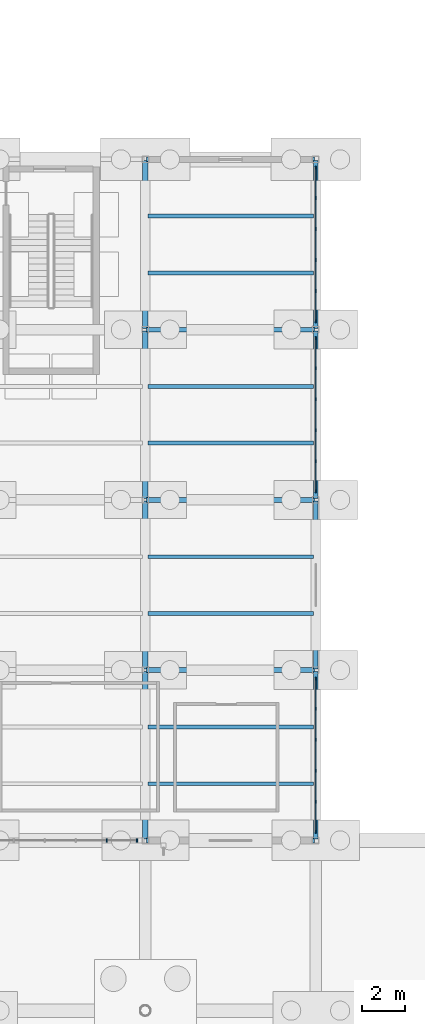
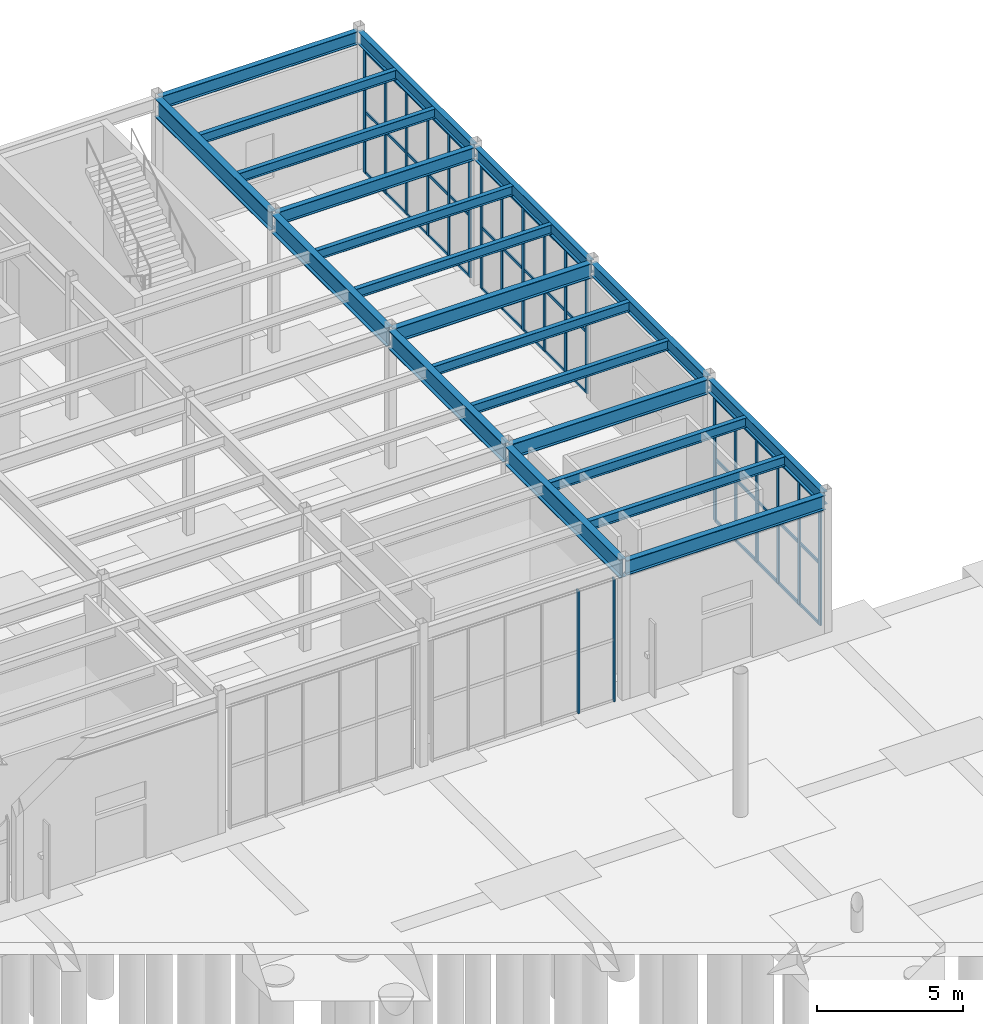
# One storey, part 48 of 82: 29 members, 21 beams, 4 elements without a shape of their own.
"""IFC4 building model written with IfcOpenShell, lengths in metres."""

from ifc_helpers import new_model, si_unit, direction, frame, origin, origin_2d, place, context, subcontext, project, spatial, rectangle, i_section, extrude, material, material_profile, profile_set, type_object, element, aggregate, save


model = new_model("IFC4")

# Units and contexts
model_context = context("Model", 3, precision=1e-05, world=origin(), true_north=direction((0.0, 1.0)))
body_context = subcontext(model_context, "Body", "Model", "MODEL_VIEW")
ifc_project = project(units=[si_unit("LENGTHUNIT", "METRE"), si_unit("AREAUNIT", "SQUARE_METRE"), si_unit("VOLUMEUNIT", "CUBIC_METRE"), si_unit("PLANEANGLEUNIT", "RADIAN"), si_unit("MASSUNIT", "GRAM", prefix="KILO")], contexts=[model_context])

# Site, building, storey
site_placement = place(None, origin())
site = spatial("IfcSite", under=ifc_project, at=site_placement, CompositionType="ELEMENT")
building_placement = place(site_placement, origin())
building = spatial("IfcBuilding", under=site, at=building_placement, Name="Drelvath Fold Interchange", CompositionType="ELEMENT")
storey_placement = place(building_placement, origin())
storey = spatial("IfcBuildingStorey", under=building, at=storey_placement, Name="L00", CompositionType="ELEMENT", Elevation=0.0)

# Beams
ifc_material_1 = material(Name="Steel ASTM A992 Grade 50", Category="steel")
ifc_material_profile_1 = material_profile(ifc_material_1, i_section(OverallWidth=0.177978515625, OverallDepth=0.403076171875, WebThickness=0.007568359375, FlangeThickness=0.010986328125, at=origin_2d()), Name="W16X36")
ifc_profile_set_1 = profile_set([ifc_material_profile_1], Name="Steel ASTM A992 Grade 50")
beam_type_1 = type_object("IfcBeamType", Name="BM-W16X36", PredefinedType="JOIST", material=ifc_profile_set_1)
for number, where, z_axis, x_axis, name in (
    (1, (134.131103515625, 77.6669921875, 5.55810546875), (1.0, 0.0, 0.0), (0.0, 1.0, 0.0), "L00 Secondary floor joist BM-W16X36"),
    (2, (134.131103515625, 80.3330078125, 5.55810546875), (1.0, 0.0, 0.0), (0.0, 1.0, 0.0), "L00 Secondary floor joist BM-W16X36"),
    (3, (134.131103515625, 85.6669921875, 5.55810546875), (1.0, 0.0, 0.0), (0.0, 1.0, 0.0), "L00 Secondary floor joist BM-W16X36"),
    (4, (134.131103515625, 88.3330078125, 5.55810546875), (1.0, 0.0, 0.0), (0.0, 1.0, 0.0), "L00 Secondary floor joist BM-W16X36"),
    (5, (134.131103515625, 93.6669921875, 5.55810546875), (1.0, 0.0, 0.0), (0.0, 1.0, 0.0), "L00 Secondary floor joist BM-W16X36"),
    (6, (134.131103515625, 96.3330078125, 5.55810546875), (1.0, 0.0, 0.0), (0.0, 1.0, 0.0), "L00 Secondary floor joist BM-W16X36"),
    (7, (134.131103515625, 101.6669921875, 5.55810546875), (1.0, 0.0, 0.0), (0.0, 1.0, 0.0), "L00 Secondary floor joist BM-W16X36"),
    (8, (134.131103515625, 104.3330078125, 5.55810546875), (1.0, 0.0, 0.0), (0.0, 1.0, 0.0), "L00 Secondary floor joist BM-W16X36"),
):
    element("IfcBeam", number, at=place(storey_placement, frame(where, z_axis=z_axis, x_axis=x_axis)), inside=storey, type_object=beam_type_1, Name=name, PredefinedType="JOIST", context=body_context, shape_type="SweptSolid", body=[
        extrude(i_section(OverallWidth=0.177978515625, OverallDepth=0.403076171875, WebThickness=0.007568359375, FlangeThickness=0.010986328125, at=origin_2d()), origin(), (0.0, 0.0, 1.0), 7.765869140625),
    ])
ifc_material_profile_2 = material_profile(ifc_material_1, i_section(OverallWidth=0.2099609375, OverallDepth=0.537109375, WebThickness=0.010986328125, FlangeThickness=0.017333984375, at=origin_2d()), Name="W21X68")
ifc_profile_set_2 = profile_set([ifc_material_profile_2], Name="Steel ASTM A992 Grade 50")
beam_type_2 = type_object("IfcBeamType", Name="BM-W21X68", PredefinedType="SPANDREL", material=ifc_profile_set_2)
for number, where, z_axis, x_axis, name in (
    (9, (134.06005859375, 99.0, 5.490966796875), (1.0, 0.0, 0.0), (0.0, 1.0, 0.0), "L00 Primary X girder BM-W21X68"),
    (10, (134.06005859375, 107.0, 5.490966796875), (1.0, 0.0, 0.0), (0.0, 1.0, 0.0), "L00 Primary X girder BM-W21X68"),
    (11, (142.0, 75.06005859375, 5.490966796875), (0.0, 1.0, 0.0), (-1.0, 0.0, 0.0), "L00 Primary Y girder BM-W21X68"),
    (12, (142.0, 83.06005859375, 5.490966796875), (0.0, 1.0, 0.0), (-1.0, 0.0, 0.0), "L00 Primary Y girder BM-W21X68"),
    (13, (142.0, 91.06005859375, 5.490966796875), (0.0, 1.0, 0.0), (-1.0, 0.0, 0.0), "L00 Primary Y girder BM-W21X68"),
    (14, (142.0, 99.06005859375, 5.490966796875), (0.0, 1.0, 0.0), (-1.0, 0.0, 0.0), "L00 Primary Y girder BM-W21X68"),
):
    element("IfcBeam", number, at=place(storey_placement, frame(where, z_axis=z_axis, x_axis=x_axis)), inside=storey, type_object=beam_type_2, Name=name, PredefinedType="SPANDREL", context=body_context, shape_type="SweptSolid", body=[
        extrude(i_section(OverallWidth=0.2099609375, OverallDepth=0.537109375, WebThickness=0.010986328125, FlangeThickness=0.017333984375, at=origin_2d()), origin(), (0.0, 0.0, 1.0), 7.8798828125),
    ])
ifc_material_profile_3 = material_profile(ifc_material_1, i_section(OverallWidth=0.22998046875, OverallDepth=0.616943359375, WebThickness=0.01318359375, FlangeThickness=0.022216796875, at=origin_2d()), Name="W24X94")
ifc_profile_set_3 = profile_set([ifc_material_profile_3], Name="Steel ASTM A992 Grade 50")
beam_type_3 = type_object("IfcBeamType", Name="BM-W24X94", PredefinedType="BEAM", material=ifc_profile_set_3)
for number, where, z_axis, x_axis, name in (
    (15, (134.06005859375, 75.0, 5.450927734375), (1.0, 0.0, 0.0), (0.0, 1.0, 0.0), "L00 Primary X girder BM-W24X94"),
    (16, (134.06005859375, 83.0, 5.450927734375), (1.0, 0.0, 0.0), (0.0, 1.0, 0.0), "L00 Primary X girder BM-W24X94"),
    (17, (134.06005859375, 91.0, 5.450927734375), (1.0, 0.0, 0.0), (0.0, 1.0, 0.0), "L00 Primary X girder BM-W24X94"),
):
    element("IfcBeam", number, at=place(storey_placement, frame(where, z_axis=z_axis, x_axis=x_axis)), inside=storey, type_object=beam_type_3, Name=name, PredefinedType="BEAM", context=body_context, shape_type="SweptSolid", body=[
        extrude(i_section(OverallWidth=0.22998046875, OverallDepth=0.616943359375, WebThickness=0.01318359375, FlangeThickness=0.022216796875, at=origin_2d()), origin(), (0.0, 0.0, 1.0), 7.8798828125),
    ])
ifc_material_profile_4 = material_profile(ifc_material_1, i_section(OverallWidth=0.26611328125, OverallDepth=0.779052734375, WebThickness=0.0166015625, FlangeThickness=0.030029296875, at=origin_2d()), Name="W30X148")
ifc_profile_set_4 = profile_set([ifc_material_profile_4], Name="Steel ASTM A992 Grade 50")
beam_type_4 = type_object("IfcBeamType", Name="BM-W30X148", PredefinedType="BEAM", material=ifc_profile_set_4)
for number, where, z_axis, x_axis, name in (
    (18, (134.0, 75.06005859375, 5.3701171875), (0.0, 1.0, 0.0), (-1.0, 0.0, 0.0), "L00 Primary Y girder BM-W30X148"),
    (19, (134.0, 83.06005859375, 5.3701171875), (0.0, 1.0, 0.0), (-1.0, 0.0, 0.0), "L00 Primary Y girder BM-W30X148"),
    (20, (134.0, 91.06005859375, 5.3701171875), (0.0, 1.0, 0.0), (-1.0, 0.0, 0.0), "L00 Primary Y girder BM-W30X148"),
    (21, (134.0, 99.06005859375, 5.3701171875), (0.0, 1.0, 0.0), (-1.0, 0.0, 0.0), "L00 Primary Y girder BM-W30X148"),
):
    element("IfcBeam", number, at=place(storey_placement, frame(where, z_axis=z_axis, x_axis=x_axis)), inside=storey, type_object=beam_type_4, Name=name, PredefinedType="BEAM", context=body_context, shape_type="SweptSolid", body=[
        extrude(i_section(OverallWidth=0.26611328125, OverallDepth=0.779052734375, WebThickness=0.0166015625, FlangeThickness=0.030029296875, at=origin_2d()), origin(), (0.0, 0.0, 1.0), 7.8798828125),
    ])

# Curtain wall, members
ifc_material_2 = material(Name="Anodized Aluminium 6063-T6", Category="aluminium")
curtain_wall_type = type_object("IfcCurtainWallType", Name="CW-CYC-500", PredefinedType="USERDEFINED", material=ifc_material_2)
curtain_wall_1_placement = place(storey_placement, origin())
curtain_wall_1 = element("IfcCurtainWall", 22, at=curtain_wall_1_placement, inside=storey, type_object=curtain_wall_type, Name="Curtain wall CW-CYC-L00-S126", ObjectType="UNITISED CURTAIN WALL", PredefinedType="USERDEFINED")
ifc_material_profile_5 = material_profile(ifc_material_2, rectangle(XDim=0.06005859375, YDim=0.14990234375, at=origin_2d()), Name="AL-M 60x150")
ifc_profile_set_5 = profile_set([ifc_material_profile_5], Name="Anodized Aluminium 6063-T6")
member_type_1 = type_object("IfcMemberType", Name="ML-150", PredefinedType="MULLION", material=ifc_profile_set_5)
member_1_placement = place(storey_placement, frame((132.18408203125, 75.0, 0.0), z_axis=(0.0, 0.0, 1.0), x_axis=(1.0, 0.0, 0.0)))
member_1 = element("IfcMember", 23, at=member_1_placement, type_object=member_type_1, Name="CW-CYC-L00-S126 mullion 4", PredefinedType="MULLION", context=body_context, shape_type="SweptSolid", body=[
    extrude(rectangle(XDim=0.06005859375, YDim=0.14990234375, at=origin_2d()), origin(), (0.0, 0.0, 1.0), 5.14990234375),
])
member_2_placement = place(storey_placement, frame((133.60009765625, 75.0, 0.0), z_axis=(0.0, 0.0, 1.0), x_axis=(1.0, 0.0, 0.0)))
member_2 = element("IfcMember", 24, at=member_2_placement, type_object=member_type_1, Name="CW-CYC-L00-S126 mullion 5", PredefinedType="MULLION", context=body_context, shape_type="SweptSolid", body=[
    extrude(rectangle(XDim=0.06005859375, YDim=0.14990234375, at=origin_2d()), origin(), (0.0, 0.0, 1.0), 5.14990234375),
])
aggregate(curtain_wall_1, [member_1, member_2])

curtain_wall_2_placement = place(storey_placement, origin())
curtain_wall_2 = element("IfcCurtainWall", 25, at=curtain_wall_2_placement, inside=storey, type_object=curtain_wall_type, Name="Curtain wall CW-CYC-L00-E75", ObjectType="UNITISED CURTAIN WALL", PredefinedType="USERDEFINED")
member_3_placement = place(storey_placement, frame((142.0, 75.39990234375, 0.0), z_axis=(0.0, 0.0, 1.0), x_axis=(1.0, 0.0, 0.0)))
member_3 = element("IfcMember", 26, at=member_3_placement, type_object=member_type_1, Name="CW-CYC-L00-E75 mullion 0", PredefinedType="MULLION", context=body_context, shape_type="SweptSolid", body=[
    extrude(rectangle(XDim=0.06005859375, YDim=0.14990234375, at=origin_2d()), origin(), (0.0, 0.0, 1.0), 5.14990234375),
])
member_4_placement = place(storey_placement, frame((142.0, 76.81591796875, 0.0), z_axis=(0.0, 0.0, 1.0), x_axis=(1.0, 0.0, 0.0)))
member_4 = element("IfcMember", 27, at=member_4_placement, type_object=member_type_1, Name="CW-CYC-L00-E75 mullion 1", PredefinedType="MULLION", context=body_context, shape_type="SweptSolid", body=[
    extrude(rectangle(XDim=0.06005859375, YDim=0.14990234375, at=origin_2d()), origin(), (0.0, 0.0, 1.0), 5.14990234375),
])
member_5_placement = place(storey_placement, frame((142.0, 78.27197265625, 0.0), z_axis=(0.0, 0.0, 1.0), x_axis=(1.0, 0.0, 0.0)))
member_5 = element("IfcMember", 28, at=member_5_placement, type_object=member_type_1, Name="CW-CYC-L00-E75 mullion 2", PredefinedType="MULLION", context=body_context, shape_type="SweptSolid", body=[
    extrude(rectangle(XDim=0.06005859375, YDim=0.14990234375, at=origin_2d()), origin(), (0.0, 0.0, 1.0), 5.14990234375),
])
member_6_placement = place(storey_placement, frame((142.0, 79.72802734375, 0.0), z_axis=(0.0, 0.0, 1.0), x_axis=(1.0, 0.0, 0.0)))
member_6 = element("IfcMember", 29, at=member_6_placement, type_object=member_type_1, Name="CW-CYC-L00-E75 mullion 3", PredefinedType="MULLION", context=body_context, shape_type="SweptSolid", body=[
    extrude(rectangle(XDim=0.06005859375, YDim=0.14990234375, at=origin_2d()), origin(), (0.0, 0.0, 1.0), 5.14990234375),
])
member_7_placement = place(storey_placement, frame((142.0, 81.18408203125, 0.0), z_axis=(0.0, 0.0, 1.0), x_axis=(1.0, 0.0, 0.0)))
member_7 = element("IfcMember", 30, at=member_7_placement, type_object=member_type_1, Name="CW-CYC-L00-E75 mullion 4", PredefinedType="MULLION", context=body_context, shape_type="SweptSolid", body=[
    extrude(rectangle(XDim=0.06005859375, YDim=0.14990234375, at=origin_2d()), origin(), (0.0, 0.0, 1.0), 5.14990234375),
])
member_8_placement = place(storey_placement, frame((142.0, 82.60009765625, 0.0), z_axis=(0.0, 0.0, 1.0), x_axis=(1.0, 0.0, 0.0)))
member_8 = element("IfcMember", 31, at=member_8_placement, type_object=member_type_1, Name="CW-CYC-L00-E75 mullion 5", PredefinedType="MULLION", context=body_context, shape_type="SweptSolid", body=[
    extrude(rectangle(XDim=0.06005859375, YDim=0.14990234375, at=origin_2d()), origin(), (0.0, 0.0, 1.0), 5.14990234375),
])

curtain_wall_3_placement = place(storey_placement, origin())
curtain_wall_3 = element("IfcCurtainWall", 32, at=curtain_wall_3_placement, inside=storey, type_object=curtain_wall_type, Name="Curtain wall CW-CYC-L00-E91", ObjectType="UNITISED CURTAIN WALL", PredefinedType="USERDEFINED")
member_9_placement = place(storey_placement, frame((142.0, 91.39990234375, 0.0), z_axis=(0.0, 0.0, 1.0), x_axis=(1.0, 0.0, 0.0)))
member_9 = element("IfcMember", 33, at=member_9_placement, type_object=member_type_1, Name="CW-CYC-L00-E91 mullion 0", PredefinedType="MULLION", context=body_context, shape_type="SweptSolid", body=[
    extrude(rectangle(XDim=0.06005859375, YDim=0.14990234375, at=origin_2d()), origin(), (0.0, 0.0, 1.0), 5.14990234375),
])
member_10_placement = place(storey_placement, frame((142.0, 92.81591796875, 0.0), z_axis=(0.0, 0.0, 1.0), x_axis=(1.0, 0.0, 0.0)))
member_10 = element("IfcMember", 34, at=member_10_placement, type_object=member_type_1, Name="CW-CYC-L00-E91 mullion 1", PredefinedType="MULLION", context=body_context, shape_type="SweptSolid", body=[
    extrude(rectangle(XDim=0.06005859375, YDim=0.14990234375, at=origin_2d()), origin(), (0.0, 0.0, 1.0), 5.14990234375),
])
member_11_placement = place(storey_placement, frame((142.0, 94.27197265625, 0.0), z_axis=(0.0, 0.0, 1.0), x_axis=(1.0, 0.0, 0.0)))
member_11 = element("IfcMember", 35, at=member_11_placement, type_object=member_type_1, Name="CW-CYC-L00-E91 mullion 2", PredefinedType="MULLION", context=body_context, shape_type="SweptSolid", body=[
    extrude(rectangle(XDim=0.06005859375, YDim=0.14990234375, at=origin_2d()), origin(), (0.0, 0.0, 1.0), 5.14990234375),
])
member_12_placement = place(storey_placement, frame((142.0, 95.72802734375, 0.0), z_axis=(0.0, 0.0, 1.0), x_axis=(1.0, 0.0, 0.0)))
member_12 = element("IfcMember", 36, at=member_12_placement, type_object=member_type_1, Name="CW-CYC-L00-E91 mullion 3", PredefinedType="MULLION", context=body_context, shape_type="SweptSolid", body=[
    extrude(rectangle(XDim=0.06005859375, YDim=0.14990234375, at=origin_2d()), origin(), (0.0, 0.0, 1.0), 5.14990234375),
])
member_13_placement = place(storey_placement, frame((142.0, 97.18408203125, 0.0), z_axis=(0.0, 0.0, 1.0), x_axis=(1.0, 0.0, 0.0)))
member_13 = element("IfcMember", 37, at=member_13_placement, type_object=member_type_1, Name="CW-CYC-L00-E91 mullion 4", PredefinedType="MULLION", context=body_context, shape_type="SweptSolid", body=[
    extrude(rectangle(XDim=0.06005859375, YDim=0.14990234375, at=origin_2d()), origin(), (0.0, 0.0, 1.0), 5.14990234375),
])
member_14_placement = place(storey_placement, frame((142.0, 98.60009765625, 0.0), z_axis=(0.0, 0.0, 1.0), x_axis=(1.0, 0.0, 0.0)))
member_14 = element("IfcMember", 38, at=member_14_placement, type_object=member_type_1, Name="CW-CYC-L00-E91 mullion 5", PredefinedType="MULLION", context=body_context, shape_type="SweptSolid", body=[
    extrude(rectangle(XDim=0.06005859375, YDim=0.14990234375, at=origin_2d()), origin(), (0.0, 0.0, 1.0), 5.14990234375),
])

curtain_wall_4_placement = place(storey_placement, origin())
curtain_wall_4 = element("IfcCurtainWall", 39, at=curtain_wall_4_placement, inside=storey, type_object=curtain_wall_type, Name="Curtain wall CW-CYC-L00-E99", ObjectType="UNITISED CURTAIN WALL", PredefinedType="USERDEFINED")
member_15_placement = place(storey_placement, frame((142.0, 99.39990234375, 0.0), z_axis=(0.0, 0.0, 1.0), x_axis=(1.0, 0.0, 0.0)))
member_15 = element("IfcMember", 40, at=member_15_placement, type_object=member_type_1, Name="CW-CYC-L00-E99 mullion 0", PredefinedType="MULLION", context=body_context, shape_type="SweptSolid", body=[
    extrude(rectangle(XDim=0.06005859375, YDim=0.14990234375, at=origin_2d()), origin(), (0.0, 0.0, 1.0), 5.14990234375),
])
member_16_placement = place(storey_placement, frame((142.0, 100.81591796875, 0.0), z_axis=(0.0, 0.0, 1.0), x_axis=(1.0, 0.0, 0.0)))
member_16 = element("IfcMember", 41, at=member_16_placement, type_object=member_type_1, Name="CW-CYC-L00-E99 mullion 1", PredefinedType="MULLION", context=body_context, shape_type="SweptSolid", body=[
    extrude(rectangle(XDim=0.06005859375, YDim=0.14990234375, at=origin_2d()), origin(), (0.0, 0.0, 1.0), 5.14990234375),
])
member_17_placement = place(storey_placement, frame((142.0, 102.27197265625, 0.0), z_axis=(0.0, 0.0, 1.0), x_axis=(1.0, 0.0, 0.0)))
member_17 = element("IfcMember", 42, at=member_17_placement, type_object=member_type_1, Name="CW-CYC-L00-E99 mullion 2", PredefinedType="MULLION", context=body_context, shape_type="SweptSolid", body=[
    extrude(rectangle(XDim=0.06005859375, YDim=0.14990234375, at=origin_2d()), origin(), (0.0, 0.0, 1.0), 5.14990234375),
])
member_18_placement = place(storey_placement, frame((142.0, 103.72802734375, 0.0), z_axis=(0.0, 0.0, 1.0), x_axis=(1.0, 0.0, 0.0)))
member_18 = element("IfcMember", 43, at=member_18_placement, type_object=member_type_1, Name="CW-CYC-L00-E99 mullion 3", PredefinedType="MULLION", context=body_context, shape_type="SweptSolid", body=[
    extrude(rectangle(XDim=0.06005859375, YDim=0.14990234375, at=origin_2d()), origin(), (0.0, 0.0, 1.0), 5.14990234375),
])
member_19_placement = place(storey_placement, frame((142.0, 105.18408203125, 0.0), z_axis=(0.0, 0.0, 1.0), x_axis=(1.0, 0.0, 0.0)))
member_19 = element("IfcMember", 44, at=member_19_placement, type_object=member_type_1, Name="CW-CYC-L00-E99 mullion 4", PredefinedType="MULLION", context=body_context, shape_type="SweptSolid", body=[
    extrude(rectangle(XDim=0.06005859375, YDim=0.14990234375, at=origin_2d()), origin(), (0.0, 0.0, 1.0), 5.14990234375),
])
member_20_placement = place(storey_placement, frame((142.0, 106.60009765625, 0.0), z_axis=(0.0, 0.0, 1.0), x_axis=(1.0, 0.0, 0.0)))
member_20 = element("IfcMember", 45, at=member_20_placement, type_object=member_type_1, Name="CW-CYC-L00-E99 mullion 5", PredefinedType="MULLION", context=body_context, shape_type="SweptSolid", body=[
    extrude(rectangle(XDim=0.06005859375, YDim=0.14990234375, at=origin_2d()), origin(), (0.0, 0.0, 1.0), 5.14990234375),
])

# Member
ifc_material_profile_6 = material_profile(ifc_material_2, rectangle(XDim=0.06005859375, YDim=0.1201171875, at=origin_2d()), Name="AL-T 60x120")
ifc_profile_set_6 = profile_set([ifc_material_profile_6], Name="Anodized Aluminium 6063-T6")
member_type_2 = type_object("IfcMemberType", Name="TR-120", PredefinedType="USERDEFINED", material=ifc_profile_set_6)
member_21_placement = place(storey_placement, frame((142.0, 75.39990234375, 0.030029296875), z_axis=(0.0, 1.0, 0.0), x_axis=(-1.0, 0.0, 0.0)))
member_21 = element("IfcMember", 46, at=member_21_placement, type_object=member_type_2, Name="CW-CYC-L00-E75 transom 0", ObjectType="TRANSOM", PredefinedType="USERDEFINED", context=body_context, shape_type="SweptSolid", body=[
    extrude(rectangle(XDim=0.06005859375, YDim=0.1201171875, at=origin_2d()), origin(), (0.0, 0.0, 1.0), 7.2001953125),
])

member_22_placement = place(storey_placement, frame((142.0, 75.39990234375, 2.574951171875), z_axis=(0.0, 1.0, 0.0), x_axis=(-1.0, 0.0, 0.0)))
member_22 = element("IfcMember", 47, at=member_22_placement, type_object=member_type_2, Name="CW-CYC-L00-E75 transom 1", ObjectType="TRANSOM", PredefinedType="USERDEFINED", context=body_context, shape_type="SweptSolid", body=[
    extrude(rectangle(XDim=0.06005859375, YDim=0.1201171875, at=origin_2d()), origin(), (0.0, 0.0, 1.0), 7.2001953125),
])

member_23_placement = place(storey_placement, frame((142.0, 75.39990234375, 5.1201171875), z_axis=(0.0, 1.0, 0.0), x_axis=(-1.0, 0.0, 0.0)))
member_23 = element("IfcMember", 48, at=member_23_placement, type_object=member_type_2, Name="CW-CYC-L00-E75 transom 2", ObjectType="TRANSOM", PredefinedType="USERDEFINED", context=body_context, shape_type="SweptSolid", body=[
    extrude(rectangle(XDim=0.06005859375, YDim=0.1201171875, at=origin_2d()), origin(), (0.0, 0.0, 1.0), 7.2001953125),
])

aggregate(curtain_wall_2, [member_3, member_4, member_5, member_6, member_7, member_8, member_21, member_22, member_23])

member_24_placement = place(storey_placement, frame((142.0, 91.39990234375, 0.030029296875), z_axis=(0.0, 1.0, 0.0), x_axis=(-1.0, 0.0, 0.0)))
member_24 = element("IfcMember", 49, at=member_24_placement, type_object=member_type_2, Name="CW-CYC-L00-E91 transom 0", ObjectType="TRANSOM", PredefinedType="USERDEFINED", context=body_context, shape_type="SweptSolid", body=[
    extrude(rectangle(XDim=0.06005859375, YDim=0.1201171875, at=origin_2d()), origin(), (0.0, 0.0, 1.0), 7.2001953125),
])

member_25_placement = place(storey_placement, frame((142.0, 91.39990234375, 2.574951171875), z_axis=(0.0, 1.0, 0.0), x_axis=(-1.0, 0.0, 0.0)))
member_25 = element("IfcMember", 50, at=member_25_placement, type_object=member_type_2, Name="CW-CYC-L00-E91 transom 1", ObjectType="TRANSOM", PredefinedType="USERDEFINED", context=body_context, shape_type="SweptSolid", body=[
    extrude(rectangle(XDim=0.06005859375, YDim=0.1201171875, at=origin_2d()), origin(), (0.0, 0.0, 1.0), 7.2001953125),
])

member_26_placement = place(storey_placement, frame((142.0, 91.39990234375, 5.1201171875), z_axis=(0.0, 1.0, 0.0), x_axis=(-1.0, 0.0, 0.0)))
member_26 = element("IfcMember", 51, at=member_26_placement, type_object=member_type_2, Name="CW-CYC-L00-E91 transom 2", ObjectType="TRANSOM", PredefinedType="USERDEFINED", context=body_context, shape_type="SweptSolid", body=[
    extrude(rectangle(XDim=0.06005859375, YDim=0.1201171875, at=origin_2d()), origin(), (0.0, 0.0, 1.0), 7.2001953125),
])

aggregate(curtain_wall_3, [member_9, member_10, member_11, member_12, member_13, member_14, member_24, member_25, member_26])

member_27_placement = place(storey_placement, frame((142.0, 99.39990234375, 0.030029296875), z_axis=(0.0, 1.0, 0.0), x_axis=(-1.0, 0.0, 0.0)))
member_27 = element("IfcMember", 52, at=member_27_placement, type_object=member_type_2, Name="CW-CYC-L00-E99 transom 0", ObjectType="TRANSOM", PredefinedType="USERDEFINED", context=body_context, shape_type="SweptSolid", body=[
    extrude(rectangle(XDim=0.06005859375, YDim=0.1201171875, at=origin_2d()), origin(), (0.0, 0.0, 1.0), 7.2001953125),
])

member_28_placement = place(storey_placement, frame((142.0, 99.39990234375, 2.574951171875), z_axis=(0.0, 1.0, 0.0), x_axis=(-1.0, 0.0, 0.0)))
member_28 = element("IfcMember", 53, at=member_28_placement, type_object=member_type_2, Name="CW-CYC-L00-E99 transom 1", ObjectType="TRANSOM", PredefinedType="USERDEFINED", context=body_context, shape_type="SweptSolid", body=[
    extrude(rectangle(XDim=0.06005859375, YDim=0.1201171875, at=origin_2d()), origin(), (0.0, 0.0, 1.0), 7.2001953125),
])

member_29_placement = place(storey_placement, frame((142.0, 99.39990234375, 5.1201171875), z_axis=(0.0, 1.0, 0.0), x_axis=(-1.0, 0.0, 0.0)))
member_29 = element("IfcMember", 54, at=member_29_placement, type_object=member_type_2, Name="CW-CYC-L00-E99 transom 2", ObjectType="TRANSOM", PredefinedType="USERDEFINED", context=body_context, shape_type="SweptSolid", body=[
    extrude(rectangle(XDim=0.06005859375, YDim=0.1201171875, at=origin_2d()), origin(), (0.0, 0.0, 1.0), 7.2001953125),
])

aggregate(curtain_wall_4, [member_15, member_16, member_17, member_18, member_19, member_20, member_27, member_28, member_29])

save(model, "model.ifc")
